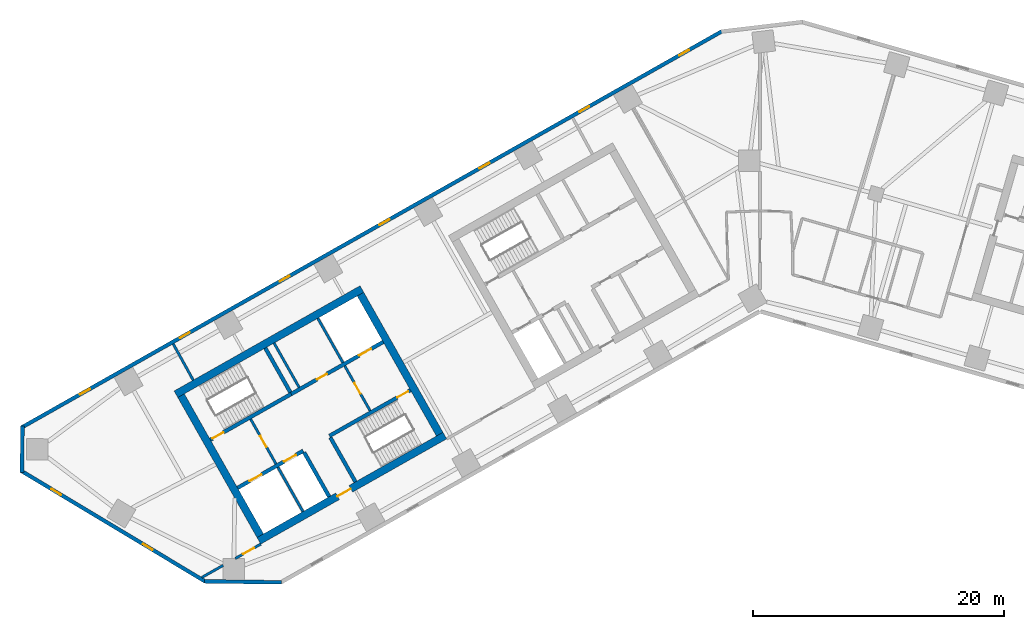
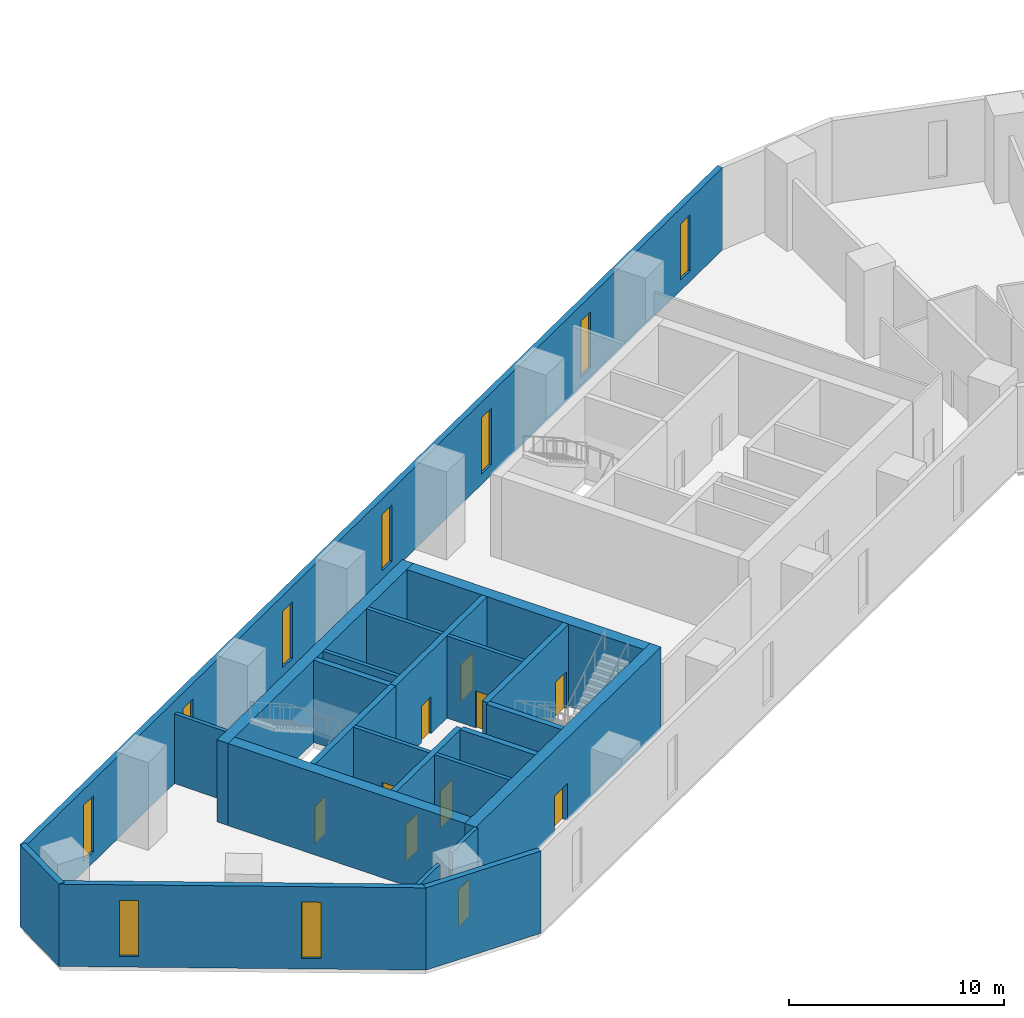
# One storey, part 3 of 10: 23 walls, 10 doors, 9 windows, 19 openings.
"""IFC4 building model written with IfcOpenShell, lengths in metres."""

from ifc_helpers import new_model, si_unit, direction, frame, frame_2d, origin, place, context, subcontext, project, spatial, rectangle, extrude, material, layer, layer_set, type_object, element, fill, save


model = new_model("IFC4")

# Units and contexts
model_context = context("Model", 3, precision=1e-05, world=origin(), true_north=direction((0.0, 1.0)))
body_context = subcontext(model_context, "Body", "Model", "MODEL_VIEW")
ifc_project = project(units=[si_unit("LENGTHUNIT", "METRE"), si_unit("AREAUNIT", "SQUARE_METRE"), si_unit("VOLUMEUNIT", "CUBIC_METRE"), si_unit("PLANEANGLEUNIT", "RADIAN"), si_unit("MASSUNIT", "GRAM", prefix="KILO")], contexts=[model_context])

# Site, building, storey
site_placement = place(None, origin())
site = spatial("IfcSite", under=ifc_project, at=site_placement, CompositionType="ELEMENT")
building_placement = place(site_placement, origin())
building = spatial("IfcBuilding", under=site, at=building_placement, Name="Binnacle Exchange Tower", CompositionType="ELEMENT")
storey_placement = place(building_placement, frame((0.0, 0.0, 51.5)))
storey = spatial("IfcBuildingStorey", under=building, at=storey_placement, Name="L10", CompositionType="ELEMENT", Elevation=51.5)

# Wall, openings, doors
ifc_material_1 = material(Name="Concrete C70/85", Category="concrete")
ifc_layer_1 = layer(ifc_material_1, 0.300048828125)
ifc_layer_set_1 = layer_set([ifc_layer_1], Name="Core wall - front 300")
wall_type_1 = type_object("IfcWallType", Name="Core wall - front 300", PredefinedType="SOLIDWALL", material=ifc_layer_set_1)
wall_1_placement = place(storey_placement, frame((-41.555908203125, 33.9609375, 0.0), z_axis=(0.0, 0.0, 1.0), x_axis=(0.870343731308, 0.492444706919, 0.0)))
wall_1 = element("IfcWall", 1, at=wall_1_placement, inside=storey, type_object=wall_type_1, Name="Core wall CRWA2", PredefinedType="SOLIDWALL", context=body_context, shape_type="SweptSolid", body=[
    extrude(rectangle(XDim=5.999755859375, YDim=0.300048828125, at=frame_2d((3.0, 0.0))), origin(), (0.0, 0.0, 1.0), 4.679931640625),
])
opening_1_placement = place(wall_1_placement, frame((1.099853515625, 0.0, 0.0)))
opening_1 = element("IfcOpeningElement", 2, at=opening_1_placement, cuts=wall_1, Name="Opening LD12", PredefinedType="OPENING", context=body_context, shape_type="SweptSolid", body=[
    extrude(rectangle(XDim=1.10009765625, YDim=2.10009765625, at=frame_2d((0.550048828125, 1.050048828125))), frame((0.0, 0.159912109375, 0.0), z_axis=(0.0, -1.0, 0.0), x_axis=(1.0, 0.0, 0.0)), (0.0, 0.0, 1.0), 0.320068359375),
])
opening_2_placement = place(wall_1_placement, frame((4.25, 0.0, 0.0)))
opening_2 = element("IfcOpeningElement", 3, at=opening_2_placement, cuts=wall_1, Name="Opening LD8", PredefinedType="OPENING", context=body_context, shape_type="SweptSolid", body=[
    extrude(rectangle(XDim=1.10009765625, YDim=2.10009765625, at=frame_2d((0.550048828125, 1.050048828125))), frame((0.0, 0.159912109375, 0.0), z_axis=(0.0, -1.0, 0.0), x_axis=(1.0, 0.0, 0.0)), (0.0, 0.0, 1.0), 0.320068359375),
])
ifc_material_2 = material(Name="Steel door leaf", Category="steel")
door_type_1 = type_object("IfcDoorType", Name="Fire door - lift landing 1100", OperationType="NOTDEFINED", PredefinedType="DOOR", material=ifc_material_2)
door_1_placement = place(opening_1_placement, origin())
door_1 = element("IfcDoor", 4, at=door_1_placement, inside=storey, type_object=door_type_1, Name="Landing door LD12 L10", OperationType="DOUBLE_DOOR_SLIDING", OverallHeight=2.10009765625, OverallWidth=1.10009765625, PredefinedType="DOOR", context=body_context, shape_type="SweptSolid", body=[
    extrude(rectangle(XDim=1.10009765625, YDim=2.10009765625, at=frame_2d((0.550048828125, 1.050048828125))), frame((0.0, 0.02490234375, 0.0), z_axis=(0.0, -1.0, 0.0), x_axis=(1.0, 0.0, 0.0)), (0.0, 0.0, 1.0), 0.050048828125),
])
fill(opening_1, door_1)
door_2_placement = place(opening_2_placement, origin())
door_2 = element("IfcDoor", 5, at=door_2_placement, inside=storey, type_object=door_type_1, Name="Landing door LD8 L10", OperationType="DOUBLE_DOOR_SLIDING", OverallHeight=2.10009765625, OverallWidth=1.10009765625, PredefinedType="DOOR", context=body_context, shape_type="SweptSolid", body=[
    extrude(rectangle(XDim=1.10009765625, YDim=2.10009765625, at=frame_2d((0.550048828125, 1.050048828125))), frame((0.0, 0.02490234375, 0.0), z_axis=(0.0, -1.0, 0.0), x_axis=(1.0, 0.0, 0.0)), (0.0, 0.0, 1.0), 0.050048828125),
])
fill(opening_2, door_2)

wall_2_placement = place(storey_placement, frame((-37.281982421875, 41.4345703125, 0.0), z_axis=(0.0, 0.0, 1.0), x_axis=(0.870356516133, 0.492422110414, 0.0)))
wall_2 = element("IfcWall", 6, at=wall_2_placement, inside=storey, type_object=wall_type_1, Name="Core wall CRWA5", PredefinedType="SOLIDWALL", context=body_context, shape_type="SweptSolid", body=[
    extrude(rectangle(XDim=8.399658203125, YDim=0.300048828125, at=frame_2d((4.19970703125, 0.0))), origin(), (0.0, 0.0, 1.0), 4.679931640625),
])
opening_3_placement = place(wall_2_placement, frame((6.199951171875, 0.0, 0.0)))
opening_3 = element("IfcOpeningElement", 7, at=opening_3_placement, cuts=wall_2, Name="Opening LD13", PredefinedType="OPENING", context=body_context, shape_type="SweptSolid", body=[
    extrude(rectangle(XDim=1.10009765625, YDim=2.10009765625, at=frame_2d((0.550048828125, 1.050048828125))), frame((0.0, 0.159912109375, 0.0), z_axis=(0.0, -1.0, 0.0), x_axis=(1.0, 0.0, 0.0)), (0.0, 0.0, 1.0), 0.320068359375),
])
opening_4_placement = place(wall_2_placement, frame((2.35009765625, 0.0, 0.0)))
opening_4 = element("IfcOpeningElement", 8, at=opening_4_placement, cuts=wall_2, Name="Opening DA10", PredefinedType="OPENING", context=body_context, shape_type="SweptSolid", body=[
    extrude(rectangle(XDim=0.89990234375, YDim=2.10009765625, at=frame_2d((0.449951171875, 1.050048828125))), frame((0.0, 0.159912109375, 0.0), z_axis=(0.0, -1.0, 0.0), x_axis=(1.0, 0.0, 0.0)), (0.0, 0.0, 1.0), 0.320068359375),
])
door_3_placement = place(opening_3_placement, origin())
door_3 = element("IfcDoor", 9, at=door_3_placement, inside=storey, type_object=door_type_1, Name="Landing door LD13 L10", OperationType="DOUBLE_DOOR_SLIDING", OverallHeight=2.10009765625, OverallWidth=1.10009765625, PredefinedType="DOOR", context=body_context, shape_type="SweptSolid", body=[
    extrude(rectangle(XDim=1.10009765625, YDim=2.10009765625, at=frame_2d((0.550048828125, 1.050048828125))), frame((0.0, 0.02490234375, 0.0), z_axis=(0.0, -1.0, 0.0), x_axis=(1.0, 0.0, 0.0)), (0.0, 0.0, 1.0), 0.050048828125),
])
fill(opening_3, door_3)
door_type_2 = type_object("IfcDoorType", Name="Fire door 900", OperationType="NOTDEFINED", PredefinedType="DOOR", material=ifc_material_2)
door_4_placement = place(opening_4_placement, origin())
door_4 = element("IfcDoor", 10, at=door_4_placement, inside=storey, type_object=door_type_2, Name="Core room door EQUIPMENT STORE", OperationType="SINGLE_SWING_LEFT", OverallHeight=2.10009765625, OverallWidth=0.89990234375, PredefinedType="DOOR", context=body_context, shape_type="SweptSolid", body=[
    extrude(rectangle(XDim=0.89990234375, YDim=2.10009765625, at=frame_2d((0.449951171875, 1.050048828125))), frame((0.0, 0.02490234375, 0.0), z_axis=(0.0, -1.0, 0.0), x_axis=(1.0, 0.0, 0.0)), (0.0, 0.0, 1.0), 0.050048828125),
])
fill(opening_4, door_4)

# Wall
wall_3_placement = place(storey_placement, frame((-36.260009765625, 36.784912109375, 0.0), z_axis=(0.0, 0.0, 1.0), x_axis=(0.492440575896, -0.870346068648, 0.0)))
element("IfcWall", 11, at=wall_3_placement, inside=storey, type_object=wall_type_1, Name="Core wall CRWA13", PredefinedType="SOLIDWALL", context=body_context, shape_type="SweptSolid", body=[
    extrude(rectangle(XDim=4.050048828125, YDim=0.300048828125, at=frame_2d((2.02490234375, 0.0))), origin(), (0.0, 0.0, 1.0), 4.679931640625),
])

# Wall, opening, door
ifc_layer_2 = layer(ifc_material_1, 0.60009765625)
ifc_layer_set_2 = layer_set([ifc_layer_2], Name="Core wall - outer 600")
wall_type_2 = type_object("IfcWallType", Name="Core wall - outer 600", PredefinedType="SOLIDWALL", material=ifc_layer_set_2)
wall_4_placement = place(storey_placement, frame((-39.8623046875, 29.748779296875, 0.0), z_axis=(0.0, 0.0, 1.0), x_axis=(0.870350116061, 0.492433422375, 0.0)))
wall_4 = element("IfcWall", 12, at=wall_4_placement, inside=storey, type_object=wall_type_2, Name="Core wall CRWA1", PredefinedType="SOLIDWALL", context=body_context, shape_type="SweptSolid", body=[
    extrude(rectangle(XDim=17.0, YDim=0.60009765625, at=frame_2d((8.5, 0.0))), origin(), (0.0, 0.0, 1.0), 4.679931640625),
])
opening_5_placement = place(wall_4_placement, frame((7.199951171875, 0.0, 0.0)))
opening_5 = element("IfcOpeningElement", 13, at=opening_5_placement, cuts=wall_4, Name="Opening DA7", PredefinedType="OPENING", context=body_context, shape_type="SweptSolid", body=[
    extrude(rectangle(XDim=1.199951171875, YDim=2.10009765625, at=frame_2d((0.60009765625, 1.050048828125))), frame((0.0, 0.31005859375, 0.0), z_axis=(0.0, -1.0, 0.0), x_axis=(1.0, 0.0, 0.0)), (0.0, 0.0, 1.0), 0.6201171875),
])
door_type_3 = type_object("IfcDoorType", Name="Fire door 1200", OperationType="NOTDEFINED", PredefinedType="DOOR", material=ifc_material_2)
door_5_placement = place(opening_5_placement, frame((1.199951171875, 0.0, 0.0), z_axis=(0.0, 0.0, 1.0), x_axis=(-1.0, 0.0, 0.0)))
door_5 = element("IfcDoor", 14, at=door_5_placement, inside=storey, type_object=door_type_3, Name="Lift lobby entrance door core A", OperationType="SINGLE_SWING_RIGHT", OverallHeight=2.10009765625, OverallWidth=1.199951171875, PredefinedType="DOOR", context=body_context, shape_type="SweptSolid", body=[
    extrude(rectangle(XDim=1.199951171875, YDim=2.10009765625, at=frame_2d((0.60009765625, 1.050048828125))), frame((0.0, 0.02490234375, 0.0), z_axis=(0.0, -1.0, 0.0), x_axis=(1.0, 0.0, 0.0)), (0.0, 0.0, 1.0), 0.050048828125),
])
fill(opening_5, door_5)

# Walls
wall_5_placement = place(storey_placement, frame((-46.460693359375, 41.41162109375, 0.0), z_axis=(0.0, 0.0, 1.0), x_axis=(0.870350116061, 0.492433422375, 0.0)))
element("IfcWall", 15, at=wall_5_placement, inside=storey, type_object=wall_type_2, Name="Core wall CRWA6", PredefinedType="SOLIDWALL", context=body_context, shape_type="SweptSolid", body=[
    extrude(rectangle(XDim=17.0, YDim=0.60009765625, at=frame_2d((8.5, 0.0))), origin(), (0.0, 0.0, 1.0), 4.679931640625),
])
for number, where, z_axis, x_axis, name in (
    (16, (-46.052001953125, 41.29833984375, 0.0), (0.0, 0.0, 1.0), (0.492418598281, -0.870358503186, 0.0), "Core wall CRWA7"),
    (17, (-31.7783203125, 49.3740234375, 0.0), (0.0, 0.0, 1.0), (0.492433046652, -0.870350328641, 0.0), "Core wall CRWA22"),
):
    element("IfcWall", number, at=place(storey_placement, frame(where, z_axis=z_axis, x_axis=x_axis)), inside=storey, type_object=wall_type_2, Name=name, PredefinedType="SOLIDWALL", context=body_context, shape_type="SweptSolid", body=[
        extrude(rectangle(XDim=12.800048828125, YDim=0.60009765625, at=frame_2d((6.39990234375, 0.0))), origin(), (0.0, 0.0, 1.0), 4.679931640625),
    ])

# Wall, opening, door
ifc_layer_3 = layer(ifc_material_1, 0.300048828125)
ifc_layer_set_3 = layer_set([ifc_layer_3], Name="Core wall - stair 300")
wall_type_3 = type_object("IfcWallType", Name="Core wall - stair 300", PredefinedType="SOLIDWALL", material=ifc_layer_set_3)
wall_6_placement = place(storey_placement, frame((-34.2451171875, 38.097412109375, 0.0), z_axis=(0.0, 0.0, 1.0), x_axis=(0.870364910201, 0.492407273597, 0.0)))
wall_6 = element("IfcWall", 18, at=wall_6_placement, inside=storey, type_object=wall_type_3, Name="Core wall CRWA3", PredefinedType="SOLIDWALL", context=body_context, shape_type="SweptSolid", body=[
    extrude(rectangle(XDim=7.39990234375, YDim=0.300048828125, at=frame_2d((3.699951171875, 0.0))), origin(), (0.0, 0.0, 1.0), 4.679931640625),
])
opening_6_placement = place(wall_6_placement, frame((6.199951171875, 0.0, 0.0)))
opening_6 = element("IfcOpeningElement", 19, at=opening_6_placement, cuts=wall_6, Name="Opening DA2", PredefinedType="OPENING", context=body_context, shape_type="SweptSolid", body=[
    extrude(rectangle(XDim=1.0, YDim=2.10009765625, at=frame_2d((0.5, 1.050048828125))), frame((0.0, 0.159912109375, 0.0), z_axis=(0.0, -1.0, 0.0), x_axis=(1.0, 0.0, 0.0)), (0.0, 0.0, 1.0), 0.320068359375),
])
door_type_4 = type_object("IfcDoorType", Name="Fire door 1000", OperationType="NOTDEFINED", PredefinedType="DOOR", material=ifc_material_2)
door_6_placement = place(opening_6_placement, frame((1.0, 0.0, 0.0), z_axis=(0.0, 0.0, 1.0), x_axis=(-1.0, 0.0, 0.0)))
door_6 = element("IfcDoor", 20, at=door_6_placement, inside=storey, type_object=door_type_4, Name="Stair door ST-A2", OperationType="SINGLE_SWING_LEFT", OverallHeight=2.10009765625, OverallWidth=1.0, PredefinedType="DOOR", context=body_context, shape_type="SweptSolid", body=[
    extrude(rectangle(XDim=1.0, YDim=2.10009765625, at=frame_2d((0.5, 1.050048828125))), frame((0.0, 0.02490234375, 0.0), z_axis=(0.0, -1.0, 0.0), x_axis=(1.0, 0.0, 0.0)), (0.0, 0.0, 1.0), 0.050048828125),
])
fill(opening_6, door_6)

wall_7_placement = place(storey_placement, frame((-43.72265625, 37.79052734375, 0.0), z_axis=(0.0, 0.0, 1.0), x_axis=(0.87035077051, 0.49243226567, 0.0)))
wall_7 = element("IfcWall", 21, at=wall_7_placement, inside=storey, type_object=wall_type_3, Name="Core wall CRWA4", PredefinedType="SOLIDWALL", context=body_context, shape_type="SweptSolid", body=[
    extrude(rectangle(XDim=7.400146484375, YDim=0.300048828125, at=frame_2d((3.7001953125, 0.0))), origin(), (0.0, 0.0, 1.0), 4.679931640625),
])
opening_7_placement = place(wall_7_placement, frame((0.199951171875, 0.0, 0.0)))
opening_7 = element("IfcOpeningElement", 22, at=opening_7_placement, cuts=wall_7, Name="Opening DA1", PredefinedType="OPENING", context=body_context, shape_type="SweptSolid", body=[
    extrude(rectangle(XDim=1.0, YDim=2.10009765625, at=frame_2d((0.5, 1.050048828125))), frame((0.0, 0.159912109375, 0.0), z_axis=(0.0, -1.0, 0.0), x_axis=(1.0, 0.0, 0.0)), (0.0, 0.0, 1.0), 0.320068359375),
])
door_7_placement = place(opening_7_placement, origin())
door_7 = element("IfcDoor", 23, at=door_7_placement, inside=storey, type_object=door_type_4, Name="Stair door ST-A1", OperationType="SINGLE_SWING_LEFT", OverallHeight=2.10009765625, OverallWidth=1.0, PredefinedType="DOOR", context=body_context, shape_type="SweptSolid", body=[
    extrude(rectangle(XDim=1.0, YDim=2.10009765625, at=frame_2d((0.5, 1.050048828125))), frame((0.0, 0.02490234375, 0.0), z_axis=(0.0, -1.0, 0.0), x_axis=(1.0, 0.0, 0.0)), (0.0, 0.0, 1.0), 0.050048828125),
])
fill(opening_7, door_7)

# Walls
wall_8_placement = place(storey_placement, frame((-39.350341796875, 45.090087890625, 0.0), z_axis=(0.0, 0.0, 1.0), x_axis=(0.49241474071, -0.870360685654, 0.0)))
element("IfcWall", 24, at=wall_8_placement, inside=storey, type_object=wall_type_3, Name="Core wall CRWA14", PredefinedType="SOLIDWALL", context=body_context, shape_type="SweptSolid", body=[
    extrude(rectangle(XDim=4.05029296875, YDim=0.300048828125, at=frame_2d((2.025146484375, 0.0))), origin(), (0.0, 0.0, 1.0), 4.679931640625),
])
wall_9_placement = place(storey_placement, frame((-34.171142578125, 37.966796875, 0.0), z_axis=(0.0, 0.0, 1.0), x_axis=(0.492394910396, -0.870371904542, 0.0)))
element("IfcWall", 25, at=wall_9_placement, inside=storey, type_object=wall_type_3, Name="Core wall CRWA16", PredefinedType="SOLIDWALL", context=body_context, shape_type="SweptSolid", body=[
    extrude(rectangle(XDim=4.0498046875, YDim=0.300048828125, at=frame_2d((2.02490234375, 0.0))), origin(), (0.0, 0.0, 1.0), 4.679931640625),
])

# Wall, openings, windows
ifc_material_3 = material(Name="Bronze aluminium cladding", Category="aluminium")
ifc_layer_4 = layer(ifc_material_3, 0.300048828125)
ifc_layer_set_4 = layer_set([ifc_layer_4], Name="External wall - spandrel 300")
wall_type_4 = type_object("IfcWallType", Name="External wall - spandrel 300", PredefinedType="STANDARD", material=ifc_layer_set_4)
wall_10_placement = place(storey_placement, frame((-58.744873046875, 38.763671875, 0.0), z_axis=(0.0, 0.0, 1.0), x_axis=(0.870355811726, 0.492423355453, 0.0)))
wall_10 = element("IfcWall", 26, at=wall_10_placement, inside=storey, type_object=wall_type_4, Name="External wall EW-F03 L10", PredefinedType="STANDARD", context=body_context, shape_type="SweptSolid", body=[
    extrude(rectangle(XDim=64.025390625, YDim=0.300048828125, at=frame_2d((32.0126953125, 0.0))), origin(), (0.0, 0.0, 1.0), 4.679931640625),
])
opening_8_placement = place(wall_10_placement, frame((60.12158203125, 0.0, 0.60009765625)))
opening_8 = element("IfcOpeningElement", 27, at=opening_8_placement, cuts=wall_10, Name="Opening WS1", PredefinedType="OPENING", context=body_context, shape_type="SweptSolid", body=[
    extrude(rectangle(XDim=0.89990234375, YDim=3.199951171875, at=frame_2d((0.449951171875, 1.60009765625))), frame((0.0, 0.159912109375, 0.0), z_axis=(0.0, -1.0, 0.0), x_axis=(1.0, 0.0, 0.0)), (0.0, 0.0, 1.0), 0.320068359375),
])
opening_9_placement = place(wall_10_placement, frame((50.99169921875, 0.0, 0.60009765625)))
opening_9 = element("IfcOpeningElement", 28, at=opening_9_placement, cuts=wall_10, Name="Opening WS1", PredefinedType="OPENING", context=body_context, shape_type="SweptSolid", body=[
    extrude(rectangle(XDim=0.89990234375, YDim=3.199951171875, at=frame_2d((0.449951171875, 1.60009765625))), frame((0.0, 0.159912109375, 0.0), z_axis=(0.0, -1.0, 0.0), x_axis=(1.0, 0.0, 0.0)), (0.0, 0.0, 1.0), 0.320068359375),
])
opening_10_placement = place(wall_10_placement, frame((41.86181640625, 0.0, 0.60009765625)))
opening_10 = element("IfcOpeningElement", 29, at=opening_10_placement, cuts=wall_10, Name="Opening WS1", PredefinedType="OPENING", context=body_context, shape_type="SweptSolid", body=[
    extrude(rectangle(XDim=0.89990234375, YDim=3.199951171875, at=frame_2d((0.449951171875, 1.60009765625))), frame((0.0, 0.159912109375, 0.0), z_axis=(0.0, -1.0, 0.0), x_axis=(1.0, 0.0, 0.0)), (0.0, 0.0, 1.0), 0.320068359375),
])
opening_11_placement = place(wall_10_placement, frame((32.73193359375, 0.0, 0.60009765625)))
opening_11 = element("IfcOpeningElement", 30, at=opening_11_placement, cuts=wall_10, Name="Opening WS1", PredefinedType="OPENING", context=body_context, shape_type="SweptSolid", body=[
    extrude(rectangle(XDim=0.89990234375, YDim=3.199951171875, at=frame_2d((0.449951171875, 1.60009765625))), frame((0.0, 0.159912109375, 0.0), z_axis=(0.0, -1.0, 0.0), x_axis=(1.0, 0.0, 0.0)), (0.0, 0.0, 1.0), 0.320068359375),
])
opening_12_placement = place(wall_10_placement, frame((23.60205078125, 0.0, 0.60009765625)))
opening_12 = element("IfcOpeningElement", 31, at=opening_12_placement, cuts=wall_10, Name="Opening WS1", PredefinedType="OPENING", context=body_context, shape_type="SweptSolid", body=[
    extrude(rectangle(XDim=0.89990234375, YDim=3.199951171875, at=frame_2d((0.449951171875, 1.60009765625))), frame((0.0, 0.159912109375, 0.0), z_axis=(0.0, -1.0, 0.0), x_axis=(1.0, 0.0, 0.0)), (0.0, 0.0, 1.0), 0.320068359375),
])
opening_13_placement = place(wall_10_placement, frame((14.47216796875, 0.0, 0.60009765625)))
opening_13 = element("IfcOpeningElement", 32, at=opening_13_placement, cuts=wall_10, Name="Opening WS1", PredefinedType="OPENING", context=body_context, shape_type="SweptSolid", body=[
    extrude(rectangle(XDim=0.89990234375, YDim=3.199951171875, at=frame_2d((0.449951171875, 1.60009765625))), frame((0.0, 0.159912109375, 0.0), z_axis=(0.0, -1.0, 0.0), x_axis=(1.0, 0.0, 0.0)), (0.0, 0.0, 1.0), 0.320068359375),
])
opening_14_placement = place(wall_10_placement, frame((5.34228515625, 0.0, 0.60009765625)))
opening_14 = element("IfcOpeningElement", 33, at=opening_14_placement, cuts=wall_10, Name="Opening WS1", PredefinedType="OPENING", context=body_context, shape_type="SweptSolid", body=[
    extrude(rectangle(XDim=0.89990234375, YDim=3.199951171875, at=frame_2d((0.449951171875, 1.60009765625))), frame((0.0, 0.159912109375, 0.0), z_axis=(0.0, -1.0, 0.0), x_axis=(1.0, 0.0, 0.0)), (0.0, 0.0, 1.0), 0.320068359375),
])
ifc_material_4 = material(Name="Bronze anodised aluminium frame", Category="aluminium")
window_type = type_object("IfcWindowType", Name="WS1 WINDOW 900x3200", PartitioningType="SINGLE_PANEL", PredefinedType="WINDOW", material=ifc_material_4)
window_1_placement = place(opening_8_placement, origin())
window_1 = element("IfcWindow", 34, at=window_1_placement, inside=storey, type_object=window_type, Name="Window WS1 L10", OverallHeight=3.199951171875, OverallWidth=0.89990234375, PartitioningType="SINGLE_PANEL", PredefinedType="WINDOW", context=body_context, shape_type="SweptSolid", body=[
    extrude(rectangle(XDim=0.89990234375, YDim=3.199951171875, at=frame_2d((0.449951171875, 1.60009765625))), frame((0.0, 0.030029296875, 0.0), z_axis=(0.0, -1.0, 0.0), x_axis=(1.0, 0.0, 0.0)), (0.0, 0.0, 1.0), 0.06005859375),
])
fill(opening_8, window_1)
window_2_placement = place(opening_9_placement, origin())
window_2 = element("IfcWindow", 35, at=window_2_placement, inside=storey, type_object=window_type, Name="Window WS1 L10", OverallHeight=3.199951171875, OverallWidth=0.89990234375, PartitioningType="SINGLE_PANEL", PredefinedType="WINDOW", context=body_context, shape_type="SweptSolid", body=[
    extrude(rectangle(XDim=0.89990234375, YDim=3.199951171875, at=frame_2d((0.449951171875, 1.60009765625))), frame((0.0, 0.030029296875, 0.0), z_axis=(0.0, -1.0, 0.0), x_axis=(1.0, 0.0, 0.0)), (0.0, 0.0, 1.0), 0.06005859375),
])
fill(opening_9, window_2)
window_3_placement = place(opening_10_placement, origin())
window_3 = element("IfcWindow", 36, at=window_3_placement, inside=storey, type_object=window_type, Name="Window WS1 L10", OverallHeight=3.199951171875, OverallWidth=0.89990234375, PartitioningType="SINGLE_PANEL", PredefinedType="WINDOW", context=body_context, shape_type="SweptSolid", body=[
    extrude(rectangle(XDim=0.89990234375, YDim=3.199951171875, at=frame_2d((0.449951171875, 1.60009765625))), frame((0.0, 0.030029296875, 0.0), z_axis=(0.0, -1.0, 0.0), x_axis=(1.0, 0.0, 0.0)), (0.0, 0.0, 1.0), 0.06005859375),
])
fill(opening_10, window_3)
window_4_placement = place(opening_11_placement, origin())
window_4 = element("IfcWindow", 37, at=window_4_placement, inside=storey, type_object=window_type, Name="Window WS1 L10", OverallHeight=3.199951171875, OverallWidth=0.89990234375, PartitioningType="SINGLE_PANEL", PredefinedType="WINDOW", context=body_context, shape_type="SweptSolid", body=[
    extrude(rectangle(XDim=0.89990234375, YDim=3.199951171875, at=frame_2d((0.449951171875, 1.60009765625))), frame((0.0, 0.030029296875, 0.0), z_axis=(0.0, -1.0, 0.0), x_axis=(1.0, 0.0, 0.0)), (0.0, 0.0, 1.0), 0.06005859375),
])
fill(opening_11, window_4)
window_5_placement = place(opening_12_placement, origin())
window_5 = element("IfcWindow", 38, at=window_5_placement, inside=storey, type_object=window_type, Name="Window WS1 L10", OverallHeight=3.199951171875, OverallWidth=0.89990234375, PartitioningType="SINGLE_PANEL", PredefinedType="WINDOW", context=body_context, shape_type="SweptSolid", body=[
    extrude(rectangle(XDim=0.89990234375, YDim=3.199951171875, at=frame_2d((0.449951171875, 1.60009765625))), frame((0.0, 0.030029296875, 0.0), z_axis=(0.0, -1.0, 0.0), x_axis=(1.0, 0.0, 0.0)), (0.0, 0.0, 1.0), 0.06005859375),
])
fill(opening_12, window_5)
window_6_placement = place(opening_13_placement, origin())
window_6 = element("IfcWindow", 39, at=window_6_placement, inside=storey, type_object=window_type, Name="Window WS1 L10", OverallHeight=3.199951171875, OverallWidth=0.89990234375, PartitioningType="SINGLE_PANEL", PredefinedType="WINDOW", context=body_context, shape_type="SweptSolid", body=[
    extrude(rectangle(XDim=0.89990234375, YDim=3.199951171875, at=frame_2d((0.449951171875, 1.60009765625))), frame((0.0, 0.030029296875, 0.0), z_axis=(0.0, -1.0, 0.0), x_axis=(1.0, 0.0, 0.0)), (0.0, 0.0, 1.0), 0.06005859375),
])
fill(opening_13, window_6)
window_7_placement = place(opening_14_placement, origin())
window_7 = element("IfcWindow", 40, at=window_7_placement, inside=storey, type_object=window_type, Name="Window WS1 L10", OverallHeight=3.199951171875, OverallWidth=0.89990234375, PartitioningType="SINGLE_PANEL", PredefinedType="WINDOW", context=body_context, shape_type="SweptSolid", body=[
    extrude(rectangle(XDim=0.89990234375, YDim=3.199951171875, at=frame_2d((0.449951171875, 1.60009765625))), frame((0.0, 0.030029296875, 0.0), z_axis=(0.0, -1.0, 0.0), x_axis=(1.0, 0.0, 0.0)), (0.0, 0.0, 1.0), 0.06005859375),
])
fill(opening_14, window_7)

# Wall
wall_11_placement = place(storey_placement, frame((-58.717041015625, 35.19384765625, 0.0), z_axis=(0.0, 0.0, 1.0), x_axis=(0.013069053407, 0.999914596275, 0.0)))
element("IfcWall", 41, at=wall_11_placement, inside=storey, type_object=wall_type_4, Name="External wall EW-F04 L10", PredefinedType="STANDARD", context=body_context, shape_type="SweptSolid", body=[
    extrude(rectangle(XDim=3.69873046875, YDim=0.300048828125, at=frame_2d((1.849365234375, 0.0))), origin(), (0.0, 0.0, 1.0), 4.679931640625),
])

# Wall, openings, windows
wall_12_placement = place(storey_placement, frame((-44.109375, 26.503662109375, 0.0), z_axis=(0.0, 0.0, 1.0), x_axis=(-0.857169502585, 0.515034410344, 0.0)))
wall_12 = element("IfcWall", 42, at=wall_12_placement, inside=storey, type_object=wall_type_4, Name="External wall EW-F05 L10", PredefinedType="STANDARD", context=body_context, shape_type="SweptSolid", body=[
    extrude(rectangle(XDim=17.126708984375, YDim=0.300048828125, at=frame_2d((8.5634765625, 0.0))), origin(), (0.0, 0.0, 1.0), 4.679931640625),
])
opening_15_placement = place(wall_12_placement, frame((13.403076171875, 0.0, 0.60009765625)))
opening_15 = element("IfcOpeningElement", 43, at=opening_15_placement, cuts=wall_12, Name="Opening WS1", PredefinedType="OPENING", context=body_context, shape_type="SweptSolid", body=[
    extrude(rectangle(XDim=0.89990234375, YDim=3.199951171875, at=frame_2d((0.449951171875, 1.60009765625))), frame((0.0, 0.159912109375, 0.0), z_axis=(0.0, -1.0, 0.0), x_axis=(1.0, 0.0, 0.0)), (0.0, 0.0, 1.0), 0.320068359375),
])
opening_16_placement = place(wall_12_placement, frame((4.903076171875, 0.0, 0.60009765625)))
opening_16 = element("IfcOpeningElement", 44, at=opening_16_placement, cuts=wall_12, Name="Opening WS1", PredefinedType="OPENING", context=body_context, shape_type="SweptSolid", body=[
    extrude(rectangle(XDim=0.89990234375, YDim=3.199951171875, at=frame_2d((0.449951171875, 1.60009765625))), frame((0.0, 0.159912109375, 0.0), z_axis=(0.0, -1.0, 0.0), x_axis=(1.0, 0.0, 0.0)), (0.0, 0.0, 1.0), 0.320068359375),
])
window_8_placement = place(opening_15_placement, origin())
window_8 = element("IfcWindow", 45, at=window_8_placement, inside=storey, type_object=window_type, Name="Window WS1 L10", OverallHeight=3.199951171875, OverallWidth=0.89990234375, PartitioningType="SINGLE_PANEL", PredefinedType="WINDOW", context=body_context, shape_type="SweptSolid", body=[
    extrude(rectangle(XDim=0.89990234375, YDim=3.199951171875, at=frame_2d((0.449951171875, 1.60009765625))), frame((0.0, 0.030029296875, 0.0), z_axis=(0.0, -1.0, 0.0), x_axis=(1.0, 0.0, 0.0)), (0.0, 0.0, 1.0), 0.06005859375),
])
fill(opening_15, window_8)
window_9_placement = place(opening_16_placement, origin())
window_9 = element("IfcWindow", 46, at=window_9_placement, inside=storey, type_object=window_type, Name="Window WS1 L10", OverallHeight=3.199951171875, OverallWidth=0.89990234375, PartitioningType="SINGLE_PANEL", PredefinedType="WINDOW", context=body_context, shape_type="SweptSolid", body=[
    extrude(rectangle(XDim=0.89990234375, YDim=3.199951171875, at=frame_2d((0.449951171875, 1.60009765625))), frame((0.0, 0.030029296875, 0.0), z_axis=(0.0, -1.0, 0.0), x_axis=(1.0, 0.0, 0.0)), (0.0, 0.0, 1.0), 0.06005859375),
])
fill(opening_16, window_9)

# Walls
wall_13_placement = place(storey_placement, frame((-38.057373046875, 26.44482421875, 0.0), z_axis=(0.0, 0.0, 1.0), x_axis=(-0.999914086342, 0.013108010296, 0.0)))
element("IfcWall", 47, at=wall_13_placement, inside=storey, type_object=wall_type_4, Name="External wall EW-F06 L10", PredefinedType="STANDARD", context=body_context, shape_type="SweptSolid", body=[
    extrude(rectangle(XDim=6.127685546875, YDim=0.300048828125, at=frame_2d((3.06396484375, 0.0))), origin(), (0.0, 0.0, 1.0), 4.679931640625),
])
ifc_material_5 = material(Name="Masonry block wall", Category="masonry")
ifc_layer_5 = layer(ifc_material_5, 0.199951171875)
ifc_layer_set_5 = layer_set([ifc_layer_5], Name="Fire wall - block 200")
wall_type_5 = type_object("IfcWallType", Name="Fire wall - block 200", PredefinedType="PARTITIONING", material=ifc_layer_set_5)
wall_14_placement = place(storey_placement, frame((-46.677978515625, 45.4189453125, 0.0), z_axis=(0.0, 0.0, 1.0), x_axis=(0.483275206546, -0.875468488718, 0.0)))
element("IfcWall", 48, at=wall_14_placement, inside=storey, type_object=wall_type_5, Name="Partition W01", PredefinedType="PARTITIONING", context=body_context, shape_type="SweptSolid", body=[
    extrude(rectangle(XDim=3.294189453125, YDim=0.199951171875, at=frame_2d((1.64697265625, 0.0))), origin(), (0.0, 0.0, 1.0), 3.9599609375),
])
wall_15_placement = place(storey_placement, frame((-44.385986328125, 26.844970703125, 0.0), z_axis=(0.0, 0.0, 1.0), x_axis=(0.870226201187, 0.492652371118, 0.0)))
element("IfcWall", 49, at=wall_15_placement, inside=storey, type_object=wall_type_5, Name="Partition W02", PredefinedType="PARTITIONING", context=body_context, shape_type="SweptSolid", body=[
    extrude(rectangle(XDim=1.9326171875, YDim=0.199951171875, at=frame_2d((0.96630859375, 0.0))), origin(), (0.0, 0.0, 1.0), 4.679931640625),
])

# Wall, opening, door
wall_16_placement = place(storey_placement, frame((-41.738037109375, 28.343017578125, 0.0), z_axis=(0.0, 0.0, 1.0), x_axis=(0.870265350095, 0.492583211676, 0.0)))
wall_16 = element("IfcWall", 50, at=wall_16_placement, inside=storey, type_object=wall_type_5, Name="Partition W03", PredefinedType="PARTITIONING", context=body_context, shape_type="SweptSolid", body=[
    extrude(rectangle(XDim=2.324462890625, YDim=0.199951171875, at=frame_2d((1.162109375, 0.0))), origin(), (0.0, 0.0, 1.0), 4.679931640625),
])
opening_17_placement = place(wall_16_placement, frame((0.699951171875, 0.0, 0.0)))
opening_17 = element("IfcOpeningElement", 51, at=opening_17_placement, cuts=wall_16, Name="Opening DL08-01", PredefinedType="OPENING", context=body_context, shape_type="SweptSolid", body=[
    extrude(rectangle(XDim=1.0, YDim=2.10009765625, at=frame_2d((0.5, 1.050048828125))), frame((0.0, 0.10986328125, 0.0), z_axis=(0.0, -1.0, 0.0), x_axis=(1.0, 0.0, 0.0)), (0.0, 0.0, 1.0), 0.219970703125),
])
door_8_placement = place(opening_17_placement, origin())
door_8 = element("IfcDoor", 52, at=door_8_placement, inside=storey, type_object=door_type_4, Name="Door DL08-01", OperationType="SINGLE_SWING_RIGHT", OverallHeight=2.10009765625, OverallWidth=1.0, PredefinedType="DOOR", context=body_context, shape_type="SweptSolid", body=[
    extrude(rectangle(XDim=1.0, YDim=2.10009765625, at=frame_2d((0.5, 1.050048828125))), frame((0.0, 0.02490234375, 0.0), z_axis=(0.0, -1.0, 0.0), x_axis=(1.0, 0.0, 0.0)), (0.0, 0.0, 1.0), 0.050048828125),
])
fill(opening_17, door_8)

ifc_layer_6 = layer(ifc_material_5, 0.199951171875)
ifc_layer_set_6 = layer_set([ifc_layer_6], Name="Fire wall - vestibule 200")
wall_type_6 = type_object("IfcWallType", Name="Fire wall - vestibule 200", PredefinedType="PARTITIONING", material=ifc_layer_set_6)
wall_17_placement = place(storey_placement, frame((-40.515625, 39.4326171875, 0.0), z_axis=(0.0, 0.0, 1.0), x_axis=(0.492453559952, -0.87033872216, 0.0)))
wall_17 = element("IfcWall", 53, at=wall_17_placement, inside=storey, type_object=wall_type_6, Name="Core wall CRWA10", PredefinedType="PARTITIONING", context=body_context, shape_type="SweptSolid", body=[
    extrude(rectangle(XDim=4.099853515625, YDim=0.199951171875, at=frame_2d((2.0498046875, 0.0))), origin(), (0.0, 0.0, 1.0), 4.679931640625),
])
opening_18_placement = place(wall_17_placement, frame((1.550048828125, 0.0, 0.0)))
opening_18 = element("IfcOpeningElement", 54, at=opening_18_placement, cuts=wall_17, Name="Opening DA3", PredefinedType="OPENING", context=body_context, shape_type="SweptSolid", body=[
    extrude(rectangle(XDim=1.0, YDim=2.10009765625, at=frame_2d((0.5, 1.050048828125))), frame((0.0, 0.10986328125, 0.0), z_axis=(0.0, -1.0, 0.0), x_axis=(1.0, 0.0, 0.0)), (0.0, 0.0, 1.0), 0.219970703125),
])
door_9_placement = place(opening_18_placement, frame((1.0, 0.0, 0.0), z_axis=(0.0, 0.0, 1.0), x_axis=(-1.0, 0.0, 0.0)))
door_9 = element("IfcDoor", 55, at=door_9_placement, inside=storey, type_object=door_type_4, Name="Vestibule door VEST-W", OperationType="SINGLE_SWING_LEFT", OverallHeight=2.10009765625, OverallWidth=1.0, PredefinedType="DOOR", context=body_context, shape_type="SweptSolid", body=[
    extrude(rectangle(XDim=1.0, YDim=2.10009765625, at=frame_2d((0.5, 1.050048828125))), frame((0.0, 0.02490234375, 0.0), z_axis=(0.0, -1.0, 0.0), x_axis=(1.0, 0.0, 0.0)), (0.0, 0.0, 1.0), 0.050048828125),
])
fill(opening_18, door_9)

wall_18_placement = place(storey_placement, frame((-33.030517578125, 43.66748046875, 0.0), z_axis=(0.0, 0.0, 1.0), x_axis=(0.492408451753, -0.87036424366, 0.0)))
wall_18 = element("IfcWall", 56, at=wall_18_placement, inside=storey, type_object=wall_type_6, Name="Core wall CRWA19", PredefinedType="PARTITIONING", context=body_context, shape_type="SweptSolid", body=[
    extrude(rectangle(XDim=4.099853515625, YDim=0.199951171875, at=frame_2d((2.0498046875, 0.0))), origin(), (0.0, 0.0, 1.0), 4.679931640625),
])
opening_19_placement = place(wall_18_placement, frame((1.550048828125, 0.0, 0.0)))
opening_19 = element("IfcOpeningElement", 57, at=opening_19_placement, cuts=wall_18, Name="Opening DA4", PredefinedType="OPENING", context=body_context, shape_type="SweptSolid", body=[
    extrude(rectangle(XDim=1.0, YDim=2.10009765625, at=frame_2d((0.5, 1.050048828125))), frame((0.0, 0.10986328125, 0.0), z_axis=(0.0, -1.0, 0.0), x_axis=(1.0, 0.0, 0.0)), (0.0, 0.0, 1.0), 0.219970703125),
])
door_10_placement = place(opening_19_placement, origin())
door_10 = element("IfcDoor", 58, at=door_10_placement, inside=storey, type_object=door_type_4, Name="Vestibule door VEST-E", OperationType="SINGLE_SWING_RIGHT", OverallHeight=2.10009765625, OverallWidth=1.0, PredefinedType="DOOR", context=body_context, shape_type="SweptSolid", body=[
    extrude(rectangle(XDim=1.0, YDim=2.10009765625, at=frame_2d((0.5, 1.050048828125))), frame((0.0, 0.02490234375, 0.0), z_axis=(0.0, -1.0, 0.0), x_axis=(1.0, 0.0, 0.0)), (0.0, 0.0, 1.0), 0.050048828125),
])
fill(opening_19, door_10)

# Walls
ifc_layer_7 = layer(ifc_material_5, 0.199951171875)
ifc_layer_set_7 = layer_set([ifc_layer_7], Name="Riser wall 200")
wall_type_7 = type_object("IfcWallType", Name="Riser wall 200", PredefinedType="SOLIDWALL", material=ifc_layer_set_7)
wall_19_placement = place(storey_placement, frame((-38.654052734375, 45.48388671875, 0.0), z_axis=(0.0, 0.0, 1.0), x_axis=(0.492440575896, -0.870346068648, 0.0)))
element("IfcWall", 59, at=wall_19_placement, inside=storey, type_object=wall_type_7, Name="Core wall CRWA15", PredefinedType="SOLIDWALL", context=body_context, shape_type="SweptSolid", body=[
    extrude(rectangle(XDim=4.050048828125, YDim=0.199951171875, at=frame_2d((2.02490234375, 0.0))), origin(), (0.0, 0.0, 1.0), 4.679931640625),
])
ifc_layer_8 = layer(ifc_material_5, 0.199951171875)
ifc_layer_set_8 = layer_set([ifc_layer_8], Name="Shaft wall 200")
wall_type_8 = type_object("IfcWallType", Name="Shaft wall 200", PredefinedType="SOLIDWALL", material=ifc_layer_set_8)
wall_20_placement = place(storey_placement, frame((-38.348876953125, 35.603271484375, 0.0), z_axis=(0.0, 0.0, 1.0), x_axis=(0.49241474071, -0.870360685654, 0.0)))
element("IfcWall", 60, at=wall_20_placement, inside=storey, type_object=wall_type_8, Name="Core wall CRWA9", PredefinedType="SOLIDWALL", context=body_context, shape_type="SweptSolid", body=[
    extrude(rectangle(XDim=4.05029296875, YDim=0.199951171875, at=frame_2d((2.025146484375, 0.0))), origin(), (0.0, 0.0, 1.0), 4.679931640625),
])
wall_21_placement = place(storey_placement, frame((-35.172607421875, 47.45361328125, 0.0), z_axis=(0.0, 0.0, 1.0), x_axis=(0.492440575896, -0.870346068648, 0.0)))
element("IfcWall", 61, at=wall_21_placement, inside=storey, type_object=wall_type_8, Name="Core wall CRWA21", PredefinedType="SOLIDWALL", context=body_context, shape_type="SweptSolid", body=[
    extrude(rectangle(XDim=4.050048828125, YDim=0.199951171875, at=frame_2d((2.02490234375, 0.0))), origin(), (0.0, 0.0, 1.0), 4.679931640625),
])

save(model, "model.ifc")
